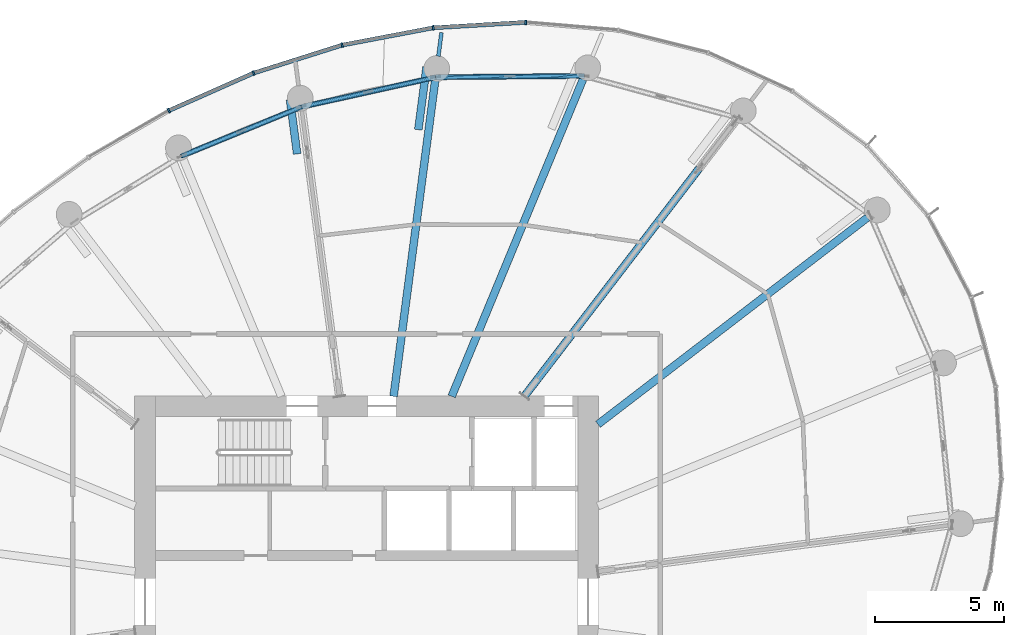
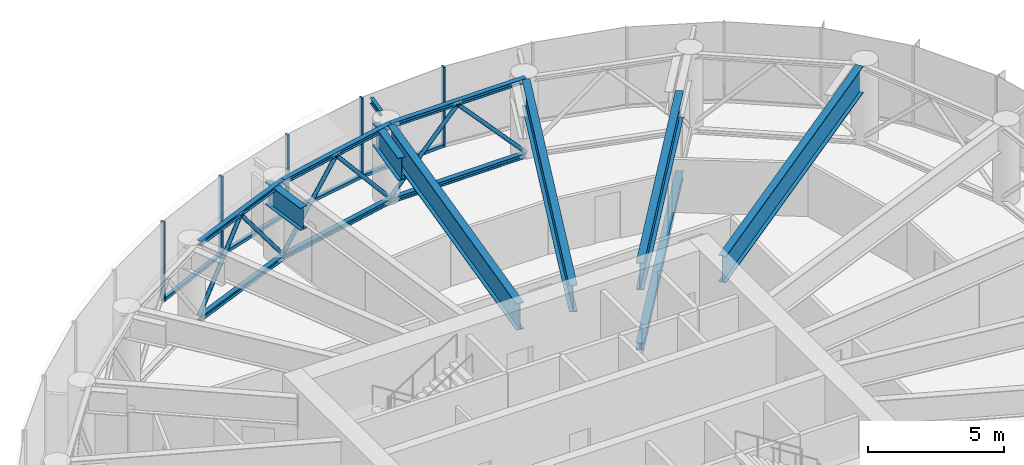
# One storey, part 9 of 25: 22 members, 7 beams, 2 elements without a shape of their own.
"""IFC4 building model written with IfcOpenShell, lengths in metres."""

from ifc_helpers import new_model, si_unit, direction, frame, origin, origin_2d, place, context, subcontext, project, spatial, rectangle, hollow_circle, i_section, extrude, source, transform, mapped, material, layer, layer_set, material_profile, profile_set, type_object, element, aggregate, save


model = new_model("IFC4")

# Units and contexts
model_context = context("Model", 3, precision=1e-05, world=origin(), true_north=direction((0.0, 1.0)))
body_context = subcontext(model_context, "Body", "Model", "MODEL_VIEW")
ifc_project = project(units=[si_unit("LENGTHUNIT", "METRE"), si_unit("AREAUNIT", "SQUARE_METRE"), si_unit("VOLUMEUNIT", "CUBIC_METRE"), si_unit("PLANEANGLEUNIT", "RADIAN"), si_unit("MASSUNIT", "GRAM", prefix="KILO")], contexts=[model_context])

# Site, building, storey
site_placement = place(None, origin())
site = spatial("IfcSite", under=ifc_project, at=site_placement, CompositionType="ELEMENT")
building_placement = place(site_placement, origin())
building = spatial("IfcBuilding", under=site, at=building_placement, Name="Spindrift Exchange Tower", CompositionType="ELEMENT")
storey_placement = place(building_placement, frame((0.0, 0.0, 179.89990234375)))
storey = spatial("IfcBuildingStorey", under=building, at=storey_placement, Name="L43", CompositionType="ELEMENT", Elevation=179.89990234375)

# Beams
ifc_material_1 = material(Name="Steel Grade 300", Category="steel")
ifc_material_profile_1 = material_profile(ifc_material_1, i_section(OverallWidth=0.14599609375, OverallDepth=0.251953125, WebThickness=0.006103515625, FlangeThickness=0.008544921875, FilletRadius=0.011962890625, at=origin_2d()), Name="250UB31.4")
ifc_profile_set_1 = profile_set([ifc_material_profile_1], Name="Steel Grade 300")
beam_type_1 = type_object("IfcBeamType", Name="Cantilever Beam 250UB31.4 Steel Grade 300", PredefinedType="BEAM", material=ifc_profile_set_1)
shared_shape_1 = source(origin(), body_context, "Body", "SweptSolid", [
    extrude(i_section(OverallWidth=0.14599609375, OverallDepth=0.251953125, WebThickness=0.006103515625, FlangeThickness=0.008544921875, FilletRadius=0.011962890625, at=origin_2d()), origin(), (0.0, 0.0, 1.0), 0.9267578125),
])
beam_1_placement = place(storey_placement, frame((54.78857421875, 69.18115234375, 3.4541015625), z_axis=(0.130386374353, 0.991463258716, 0.0), x_axis=(-0.991463258716, 0.130386374353, 0.0)))
element("IfcBeam", 1, at=beam_1_placement, inside=storey, type_object=beam_type_1, Name="L43 cantilever beam R06T", PredefinedType="BEAM", context=body_context, shape_type="MappedRepresentation", body=[
    mapped(shared_shape_1, transform((0.0, 0.0, 0.0), scale=1.0)),
])
ifc_material_profile_2 = material_profile(ifc_material_1, i_section(OverallWidth=0.300048828125, OverallDepth=1.199951171875, WebThickness=0.011962890625, FlangeThickness=0.028076171875, at=origin_2d()), Name="1200WB249")
ifc_profile_set_2 = profile_set([ifc_material_profile_2], Name="Steel Grade 300")
beam_type_2 = type_object("IfcBeamType", Name="Transfer Girder 1200WB249 Steel Grade 300", PredefinedType="BEAM", material=ifc_profile_set_2)
shared_shape_2 = source(origin(), body_context, "Body", "SweptSolid", [
    extrude(i_section(OverallWidth=0.300048828125, OverallDepth=1.199951171875, WebThickness=0.011962890625, FlangeThickness=0.028076171875, at=origin_2d()), origin(), (0.0, 0.0, 1.0), 13.185546875),
])
beam_2_placement = place(storey_placement, frame((60.984130859375, 54.893798828125, 2.97998046875), z_axis=(0.793357156703, 0.608756455332, 0.0), x_axis=(-0.608756455332, 0.793357156703, 0.0)))
element("IfcBeam", 2, at=beam_2_placement, inside=storey, type_object=beam_type_2, Name="L43 radial beam R03A", PredefinedType="BEAM", context=body_context, shape_type="MappedRepresentation", body=[
    mapped(shared_shape_2, transform((0.0, 0.0, 0.0), scale=1.0)),
])
shared_shape_3 = source(origin(), body_context, "Body", "SweptSolid", [
    extrude(i_section(OverallWidth=0.300048828125, OverallDepth=1.199951171875, WebThickness=0.011962890625, FlangeThickness=0.028076171875, at=origin_2d()), origin(), (0.0, 0.0, 1.0), 13.31982421875),
])
beam_3_placement = place(storey_placement, frame((55.30615234375, 55.9814453125, 2.97998046875), z_axis=(0.382676632888, 0.923882348918, 0.0), x_axis=(-0.923882348918, 0.382676632888, 0.0)))
element("IfcBeam", 3, at=beam_3_placement, inside=storey, type_object=beam_type_2, Name="L43 radial beam R05A", PredefinedType="BEAM", context=body_context, shape_type="MappedRepresentation", body=[
    mapped(shared_shape_3, transform((0.0, 0.0, 0.0), scale=1.0)),
])
shared_shape_4 = source(origin(), body_context, "Body", "SweptSolid", [
    extrude(i_section(OverallWidth=0.300048828125, OverallDepth=1.199951171875, WebThickness=0.011962890625, FlangeThickness=0.028076171875, at=origin_2d()), origin(), (0.0, 0.0, 1.0), 12.35498046875),
])
beam_4_placement = place(storey_placement, frame((53.050537109375, 55.980224609375, 2.97998046875), z_axis=(0.130537831721, 0.991443328935, 0.0), x_axis=(-0.991443328935, 0.130537831721, 0.0)))
element("IfcBeam", 4, at=beam_4_placement, inside=storey, type_object=beam_type_2, Name="L43 radial beam R06A", PredefinedType="BEAM", context=body_context, shape_type="MappedRepresentation", body=[
    mapped(shared_shape_4, transform((0.0, 0.0, 0.0), scale=1.0)),
])
ifc_material_profile_3 = material_profile(ifc_material_1, i_section(OverallWidth=0.300048828125, OverallDepth=1.199951171875, WebThickness=0.011962890625, FlangeThickness=0.028076171875, at=origin_2d()), Name="1200WB249")
ifc_profile_set_3 = profile_set([ifc_material_profile_3], Name="Steel Grade 300")
beam_type_3 = type_object("IfcBeamType", Name="Outrigger Truss Transfer Girder 1200WB249 Steel Grade 300", PredefinedType="BEAM", material=ifc_profile_set_3)
shared_shape_5 = source(origin(), body_context, "Body", "SweptSolid", [
    extrude(i_section(OverallWidth=0.300048828125, OverallDepth=1.199951171875, WebThickness=0.011962890625, FlangeThickness=0.028076171875, at=origin_2d()), origin(), (0.0, 0.0, 1.0), 11.14111328125),
])
beam_5_placement = place(storey_placement, frame((58.12646484375, 55.984130859375, 2.97998046875), z_axis=(0.608757204711, 0.793356581691, 0.0), x_axis=(-0.793356581691, 0.608757204711, 0.0)))
element("IfcBeam", 5, at=beam_5_placement, inside=storey, type_object=beam_type_3, Name="L43 outrigger truss 04 top chord 1", PredefinedType="BEAM", context=body_context, shape_type="MappedRepresentation", body=[
    mapped(shared_shape_5, transform((0.0, 0.0, 0.0), scale=1.0)),
])

# Members
ifc_material_profile_4 = material_profile(ifc_material_1, i_section(OverallWidth=0.306884765625, OverallDepth=0.31396484375, WebThickness=0.011962890625, FlangeThickness=0.018798828125, FilletRadius=0.0166015625, at=origin_2d()), Name="310UC118")
ifc_profile_set_4 = profile_set([ifc_material_profile_4], Name="Steel Grade 300")
member_type_1 = type_object("IfcMemberType", Name="Outrigger Truss Chord 310UC118 Steel Grade 300", PredefinedType="CHORD", material=ifc_profile_set_4)
shared_shape_6 = source(origin(), body_context, "Body", "SweptSolid", [
    extrude(i_section(OverallWidth=0.306884765625, OverallDepth=0.31396484375, WebThickness=0.011962890625, FlangeThickness=0.018798828125, FilletRadius=0.0166015625, at=origin_2d()), origin(), (0.0, 0.0, 1.0), 11.14111328125),
])
member_1_placement = place(storey_placement, frame((58.12646484375, 55.984130859375, -0.156982421875), z_axis=(0.608757204711, 0.793356581691, 0.0), x_axis=(-0.793356581691, 0.608757204711, 0.0)))
element("IfcMember", 6, at=member_1_placement, inside=storey, type_object=member_type_1, Name="L43 outrigger truss 04 bottom chord 1", PredefinedType="CHORD", context=body_context, shape_type="MappedRepresentation", body=[
    mapped(shared_shape_6, transform((0.0, 0.0, 0.0), scale=1.0)),
])
ifc_material_profile_5 = material_profile(ifc_material_1, i_section(OverallWidth=0.205078125, OverallDepth=0.2099609375, WebThickness=0.00927734375, FlangeThickness=0.01416015625, FilletRadius=0.012939453125, at=origin_2d()), Name="200UC59.5")
ifc_profile_set_5 = profile_set([ifc_material_profile_5], Name="Steel Grade 300")
member_type_2 = type_object("IfcMemberType", Name="Belt Truss Chord 200UC59.5 Steel Grade 300", PredefinedType="CHORD", material=ifc_profile_set_5)
shared_shape_7 = source(origin(), body_context, "Body", "SweptSolid", [
    extrude(i_section(OverallWidth=0.205078125, OverallDepth=0.2099609375, WebThickness=0.00927734375, FlangeThickness=0.01416015625, FilletRadius=0.012939453125, at=origin_2d()), origin(), (0.0, 0.0, 1.0), 5.775634765625),
])
for number, where, z_axis, x_axis, name in (
    (7, (60.456787109375, 68.416748046875, 3.47509765625), (-0.999964618969, -0.008411944504, 0.0), (0.008411944504, -0.999964618969, 0.0), "L43 belt truss 05 top chord"),
    (8, (60.456787109375, 68.416748046875, 0.10498046875), (-0.999964618969, -0.008411944504, 0.0), (0.008411944504, -0.999964618969, 0.0), "L43 belt truss 05 bottom chord"),
):
    element("IfcMember", number, at=place(storey_placement, frame(where, z_axis=z_axis, x_axis=x_axis)), inside=storey, type_object=member_type_2, Name=name, PredefinedType="CHORD", context=body_context, shape_type="MappedRepresentation", body=[
        mapped(shared_shape_7, transform((0.0, 0.0, 0.0), scale=1.0)),
    ])
ifc_material_2 = material(Name="Steel Grade 350", Category="steel")
ifc_material_profile_6 = material_profile(ifc_material_2, hollow_circle(Radius=0.084228515625, WallThickness=0.007080078125, at=origin_2d()), Name="168.3x7.1CHS")
ifc_profile_set_6 = profile_set([ifc_material_profile_6], Name="Steel Grade 350")
member_type_3 = type_object("IfcMemberType", Name="Belt Truss Diagonal 168.3x7.1CHS Steel Grade 350", PredefinedType="BRACE", material=ifc_profile_set_6)
shared_shape_8 = source(origin(), body_context, "Body", "SweptSolid", [
    extrude(hollow_circle(Radius=0.084228515625, WallThickness=0.007080078125, at=origin_2d()), origin(), (0.0, 0.0, 1.0), 4.28076171875),
])
for number, where, z_axis, x_axis, name in (
    (9, (60.456787109375, 68.416748046875, 0.210205078125), (-0.674584460723, -0.005646251404, 0.738176080076), (0.008369676394, -0.999964973645, 0.0), "L43 belt truss 05 diagonal 1"),
    (10, (57.569091796875, 68.392578125, 3.3701171875), (-0.674584242395, -0.005703282401, -0.738175841167), (0.008454212568, -0.999964262506, 0.0), "L43 belt truss 05 diagonal 2"),
):
    element("IfcMember", number, at=place(storey_placement, frame(where, z_axis=z_axis, x_axis=x_axis)), inside=storey, type_object=member_type_3, Name=name, PredefinedType="BRACE", context=body_context, shape_type="MappedRepresentation", body=[
        mapped(shared_shape_8, transform((0.0, 0.0, 0.0), scale=1.0)),
    ])
shared_shape_9 = source(origin(), body_context, "Body", "SweptSolid", [
    extrude(i_section(OverallWidth=0.205078125, OverallDepth=0.2099609375, WebThickness=0.00927734375, FlangeThickness=0.01416015625, FilletRadius=0.012939453125, at=origin_2d()), origin(), (0.0, 0.0, 1.0), 5.337158203125),
])
for number, where, z_axis, x_axis, name in (
    (11, (54.681396484375, 68.3681640625, 3.47509765625), (-0.976342872598, -0.216228109013, 0.0), (0.216228109013, -0.976342872598, 0.0), "L43 belt truss 06 top chord"),
    (12, (54.681396484375, 68.3681640625, 0.10498046875), (-0.976342872598, -0.216228109013, 0.0), (0.216228109013, -0.976342872598, 0.0), "L43 belt truss 06 bottom chord"),
):
    element("IfcMember", number, at=place(storey_placement, frame(where, z_axis=z_axis, x_axis=x_axis)), inside=storey, type_object=member_type_2, Name=name, PredefinedType="CHORD", context=body_context, shape_type="MappedRepresentation", body=[
        mapped(shared_shape_9, transform((0.0, 0.0, 0.0), scale=1.0)),
    ])
shared_shape_10 = source(origin(), body_context, "Body", "SweptSolid", [
    extrude(hollow_circle(Radius=0.084228515625, WallThickness=0.007080078125, at=origin_2d()), origin(), (0.0, 0.0, 1.0), 4.135986328125),
])
for number, where, z_axis, x_axis, name in (
    (13, (54.681396484375, 68.3681640625, 0.210205078125), (-0.629951971126, -0.139484305451, 0.764005656136), (0.21618450387, -0.976352528694, 0.0), "L43 belt truss 06 diagonal 1"),
    (14, (52.075927734375, 67.791259765625, 3.3701171875), (-0.629946783353, -0.139542184768, -0.763999364406), (0.216271712862, -0.976333214746, 0.0), "L43 belt truss 06 diagonal 2"),
):
    element("IfcMember", number, at=place(storey_placement, frame(where, z_axis=z_axis, x_axis=x_axis)), inside=storey, type_object=member_type_3, Name=name, PredefinedType="BRACE", context=body_context, shape_type="MappedRepresentation", body=[
        mapped(shared_shape_10, transform((0.0, 0.0, 0.0), scale=1.0)),
    ])
shared_shape_11 = source(origin(), body_context, "Body", "SweptSolid", [
    extrude(i_section(OverallWidth=0.205078125, OverallDepth=0.2099609375, WebThickness=0.00927734375, FlangeThickness=0.01416015625, FilletRadius=0.012939453125, at=origin_2d()), origin(), (0.0, 0.0, 1.0), 5.015869140625),
])
for number, where, z_axis, x_axis, name in (
    (15, (49.470458984375, 67.214111328125, 3.47509765625), (-0.925287778212, -0.379265774215, 0.0), (0.379265774215, -0.925287778212, 0.0), "L43 belt truss 07 top chord"),
    (16, (49.470458984375, 67.214111328125, 0.10498046875), (-0.925287778212, -0.379265774215, 0.0), (0.379265774215, -0.925287778212, 0.0), "L43 belt truss 07 bottom chord"),
):
    element("IfcMember", number, at=place(storey_placement, frame(where, z_axis=z_axis, x_axis=x_axis)), inside=storey, type_object=member_type_2, Name=name, PredefinedType="CHORD", context=body_context, shape_type="MappedRepresentation", body=[
        mapped(shared_shape_11, transform((0.0, 0.0, 0.0), scale=1.0)),
    ])
shared_shape_12 = source(origin(), body_context, "Body", "SweptSolid", [
    extrude(hollow_circle(Radius=0.084228515625, WallThickness=0.007080078125, at=origin_2d()), origin(), (0.0, 0.0, 1.0), 4.0341796875),
])
for number, where, z_axis, x_axis, name in (
    (17, (49.470458984375, 67.214111328125, 0.210205078125), (-0.5752212686, -0.235777176482, 0.783281312939), (0.379265774215, -0.925287778212, 0.0), "L43 belt truss 07 diagonal 1"),
    (18, (47.14990234375, 66.262939453125, 3.3701171875), (-0.5752212686, -0.235777176482, -0.783281312939), (0.379265774215, -0.925287778212, 0.0), "L43 belt truss 07 diagonal 2"),
):
    element("IfcMember", number, at=place(storey_placement, frame(where, z_axis=z_axis, x_axis=x_axis)), inside=storey, type_object=member_type_3, Name=name, PredefinedType="BRACE", context=body_context, shape_type="MappedRepresentation", body=[
        mapped(shared_shape_12, transform((0.0, 0.0, 0.0), scale=1.0)),
    ])

# Beams
ifc_material_profile_7 = material_profile(ifc_material_1, i_section(OverallWidth=0.300048828125, OverallDepth=1.0, WebThickness=0.010009765625, FlangeThickness=0.02001953125, at=origin_2d()), Name="1000WB215")
ifc_profile_set_7 = profile_set([ifc_material_profile_7], Name="Steel Grade 300")
beam_type_4 = type_object("IfcBeamType", Name="Transfer Tie Beam 1000WB215 Steel Grade 300", PredefinedType="BEAM", material=ifc_profile_set_7)
shared_shape_13 = source(origin(), body_context, "Body", "SweptSolid", [
    extrude(i_section(OverallWidth=0.300048828125, OverallDepth=1.0, WebThickness=0.010009765625, FlangeThickness=0.02001953125, at=origin_2d()), origin(), (0.0, 0.0, 1.0), 2.447998046875),
])
beam_6_placement = place(storey_placement, frame((54.329345703125, 68.757568359375, 2.97998046875), z_axis=(-0.130549967398, -0.991441731022, 0.0), x_axis=(0.991441731022, -0.130549967398, 0.0)))
element("IfcBeam", 19, at=beam_6_placement, inside=storey, type_object=beam_type_4, Name="L43 transfer tie beam K06", PredefinedType="BEAM", context=body_context, shape_type="MappedRepresentation", body=[
    mapped(shared_shape_13, transform((0.0, 0.0, 0.0), scale=1.0)),
])
shared_shape_14 = source(origin(), body_context, "Body", "SweptSolid", [
    extrude(i_section(OverallWidth=0.300048828125, OverallDepth=1.0, WebThickness=0.010009765625, FlangeThickness=0.02001953125, at=origin_2d()), origin(), (0.0, 0.0, 1.0), 2.126953125),
])
beam_7_placement = place(storey_placement, frame((49.029296875, 67.4990234375, 2.97998046875), z_axis=(0.130629702219, -0.991431228527, 0.0), x_axis=(0.991431228527, 0.130629702219, 0.0)))
element("IfcBeam", 20, at=beam_7_placement, inside=storey, type_object=beam_type_4, Name="L43 transfer tie beam K07", PredefinedType="BEAM", context=body_context, shape_type="MappedRepresentation", body=[
    mapped(shared_shape_14, transform((0.0, 0.0, 0.0), scale=1.0)),
])

# Curtain wall, members
ifc_material_3 = material(Name="Fritted laminated glass with bronze frame", Category="glass")
ifc_layer = layer(ifc_material_3, 0.179931640625)
ifc_layer_set = layer_set([ifc_layer], Name="ZONE 3 BRONZE FRITTED WALL")
curtain_wall_type = type_object("IfcCurtainWallType", Name="ZONE 3 BRONZE FRITTED WALL", PredefinedType="NOTDEFINED", material=ifc_layer_set)
curtain_wall_1_placement = place(storey_placement, origin())
curtain_wall_1 = element("IfcCurtainWall", 21, at=curtain_wall_1_placement, inside=storey, type_object=curtain_wall_type, Name="L43 Zone 3 Bronze Fritted Wall run 2", PredefinedType="NOTDEFINED")
ifc_material_4 = material(Name="Bronze anodised aluminium", Category="aluminium")
ifc_material_profile_8 = material_profile(ifc_material_4, rectangle(XDim=0.159912109375, YDim=0.1298828125, at=origin_2d()), Name="ZONE 3 BRONZE FRITTED WALL TRANSOM 160X130")
ifc_profile_set_8 = profile_set([ifc_material_profile_8], Name="Bronze anodised aluminium")
member_type_4 = type_object("IfcMemberType", Name="ZONE 3 BRONZE FRITTED WALL TRANSOM 160X130", PredefinedType="USERDEFINED", material=ifc_profile_set_8)
shared_shape_15 = source(origin(), body_context, "Body", "SweptSolid", [
    extrude(rectangle(XDim=0.159912109375, YDim=0.1298828125, at=origin_2d()), origin(), (0.0, 0.0, 1.0), 3.53076171875),
])
member_2_placement = place(storey_placement, frame((47.58544921875, 68.514892578125, 0.065185546875), z_axis=(-0.914196081734, -0.405272160581, 0.0), x_axis=(0.405272160581, -0.914196081734, 0.0)))
member_2 = element("IfcMember", 22, at=member_2_placement, type_object=member_type_4, Name="L43 transom CW-3.9", ObjectType="TRANSOM", PredefinedType="USERDEFINED", context=body_context, shape_type="MappedRepresentation", body=[
    mapped(shared_shape_15, transform((0.0, 0.0, 0.0), scale=1.0)),
])
shared_shape_16 = source(origin(), body_context, "Body", "SweptSolid", [
    extrude(rectangle(XDim=0.159912109375, YDim=0.1298828125, at=origin_2d()), origin(), (0.0, 0.0, 1.0), 3.5302734375),
])
member_3_placement = place(storey_placement, frame((54.553466796875, 70.279296875, 0.065185546875), z_axis=(-0.982426227106, -0.186651301349, 0.0), x_axis=(0.186651301349, -0.982426227106, 0.0)))
member_3 = element("IfcMember", 23, at=member_3_placement, type_object=member_type_4, Name="L43 transom CW-3.7", ObjectType="TRANSOM", PredefinedType="USERDEFINED", context=body_context, shape_type="MappedRepresentation", body=[
    mapped(shared_shape_16, transform((0.0, 0.0, 0.0), scale=1.0)),
])
shared_shape_17 = source(origin(), body_context, "Body", "SweptSolid", [
    extrude(rectangle(XDim=0.159912109375, YDim=0.1298828125, at=origin_2d()), origin(), (0.0, 0.0, 1.0), 3.530517578125),
])
member_4_placement = place(storey_placement, frame((51.017333984375, 69.603271484375, 0.065185546875), z_axis=(-0.953531440839, -0.301293530186, 0.0), x_axis=(0.301293530186, -0.953531440839, 0.0)))
member_4 = element("IfcMember", 24, at=member_4_placement, type_object=member_type_4, Name="L43 transom CW-3.8", ObjectType="TRANSOM", PredefinedType="USERDEFINED", context=body_context, shape_type="MappedRepresentation", body=[
    mapped(shared_shape_17, transform((0.0, 0.0, 0.0), scale=1.0)),
])

# Curtain wall, member
curtain_wall_2_placement = place(storey_placement, origin())
curtain_wall_2 = element("IfcCurtainWall", 25, at=curtain_wall_2_placement, inside=storey, type_object=curtain_wall_type, Name="L43 Zone 3 Bronze Fritted Wall run 1", PredefinedType="NOTDEFINED")
ifc_material_profile_9 = material_profile(ifc_material_4, rectangle(XDim=0.070068359375, YDim=0.179931640625, at=origin_2d()), Name="ZONE 3 BRONZE FRITTED WALL MULLION 70X180")
ifc_profile_set_9 = profile_set([ifc_material_profile_9], Name="Bronze anodised aluminium")
member_type_5 = type_object("IfcMemberType", Name="ZONE 3 BRONZE FRITTED WALL MULLION 70X180", PredefinedType="MULLION", material=ifc_profile_set_9)
shared_shape_18 = source(origin(), body_context, "Body", "SweptSolid", [
    extrude(rectangle(XDim=0.070068359375, YDim=0.179931640625, at=origin_2d()), origin(), (0.0, 0.0, 1.0), 3.580078125),
])
member_5_placement = place(storey_placement, frame((58.181396484375, 70.498291015625, 0.0), z_axis=(0.0, 0.0, 1.0), x_axis=(-0.999922934484, 0.012414712724, 0.0)))
member_5 = element("IfcMember", 26, at=member_5_placement, type_object=member_type_5, Name="L43 mullion CW-3.6", PredefinedType="MULLION", context=body_context, shape_type="MappedRepresentation", body=[
    mapped(shared_shape_18, transform((0.0, 0.0, 0.0), scale=1.0)),
])

# Member
member_6_placement = place(storey_placement, frame((54.587890625, 70.285888671875, 0.0), z_axis=(0.0, 0.0, 1.0), x_axis=(-0.992398407328, -0.123066653215, 0.0)))
member_6 = element("IfcMember", 27, at=member_6_placement, type_object=member_type_5, Name="L43 mullion CW-3.7", PredefinedType="MULLION", context=body_context, shape_type="MappedRepresentation", body=[
    mapped(shared_shape_18, transform((0.0, 0.0, 0.0), scale=1.0)),
])

member_7_placement = place(storey_placement, frame((51.05078125, 69.614013671875, 0.0), z_axis=(0.0, 0.0, 1.0), x_axis=(-0.969672126194, -0.244409426336, 0.0)))
member_7 = element("IfcMember", 28, at=member_7_placement, type_object=member_type_5, Name="L43 mullion CW-3.8", PredefinedType="MULLION", context=body_context, shape_type="MappedRepresentation", body=[
    mapped(shared_shape_18, transform((0.0, 0.0, 0.0), scale=1.0)),
])

member_8_placement = place(storey_placement, frame((47.617431640625, 68.529052734375, 0.0), z_axis=(0.0, 0.0, 1.0), x_axis=(-0.935316015742, -0.353813440525, 0.0)))
member_8 = element("IfcMember", 29, at=member_8_placement, type_object=member_type_5, Name="L43 mullion CW-3.9", PredefinedType="MULLION", context=body_context, shape_type="MappedRepresentation", body=[
    mapped(shared_shape_18, transform((0.0, 0.0, 0.0), scale=1.0)),
])

member_9_placement = place(storey_placement, frame((44.32568359375, 67.06982421875, 0.0), z_axis=(0.0, 0.0, 1.0), x_axis=(-0.891285478784, -0.453442604205, 0.0)))
member_9 = element("IfcMember", 30, at=member_9_placement, type_object=member_type_5, Name="L43 mullion CW-3.10", PredefinedType="MULLION", context=body_context, shape_type="MappedRepresentation", body=[
    mapped(shared_shape_18, transform((0.0, 0.0, 0.0), scale=1.0)),
])

aggregate(curtain_wall_1, [member_6, member_3, member_7, member_4, member_8, member_2, member_9])

shared_shape_19 = source(origin(), body_context, "Body", "SweptSolid", [
    extrude(rectangle(XDim=0.159912109375, YDim=0.1298828125, at=origin_2d()), origin(), (0.0, 0.0, 1.0), 3.529541015625),
])
member_10_placement = place(storey_placement, frame((58.146240234375, 70.49609375, 0.065185546875), z_axis=(-0.998261948005, -0.05893286999, 0.0), x_axis=(0.05893286999, -0.998261948005, 0.0)))
member_10 = element("IfcMember", 31, at=member_10_placement, type_object=member_type_4, Name="L43 transom CW-3.6", ObjectType="TRANSOM", PredefinedType="USERDEFINED", context=body_context, shape_type="MappedRepresentation", body=[
    mapped(shared_shape_19, transform((0.0, 0.0, 0.0), scale=1.0)),
])

aggregate(curtain_wall_2, [member_5, member_10])

save(model, "model.ifc")
